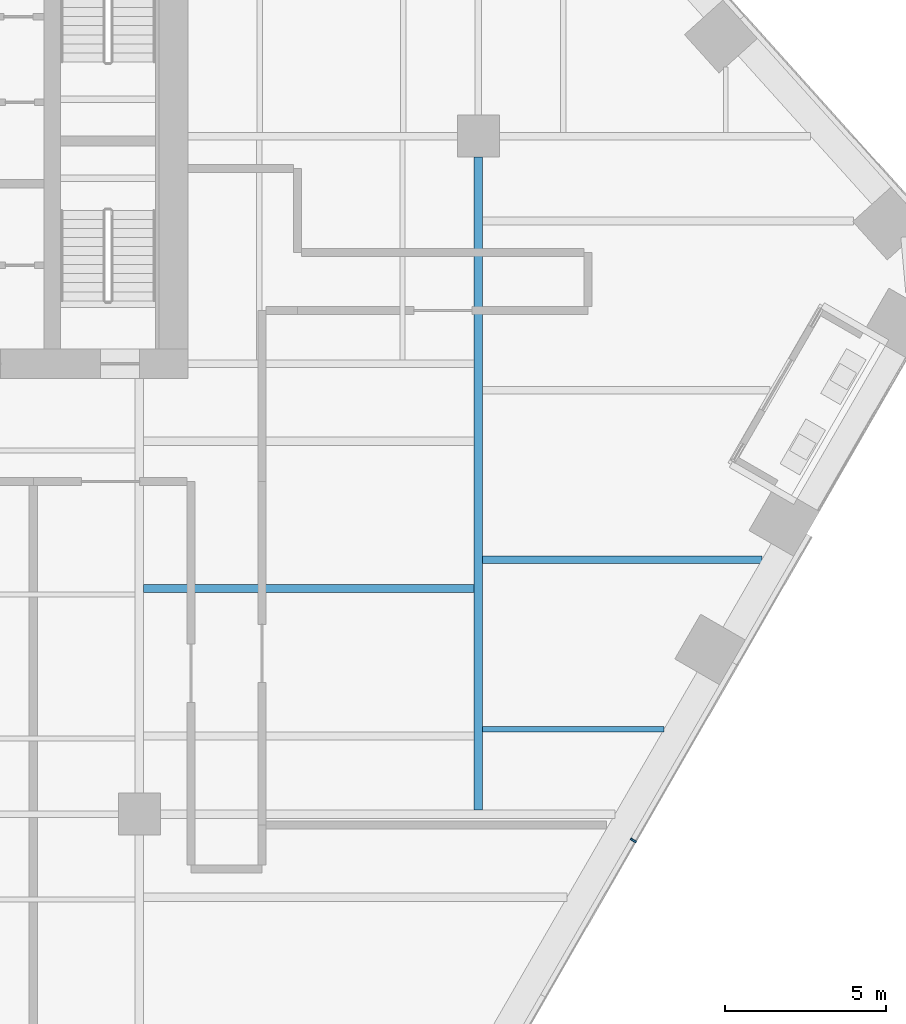
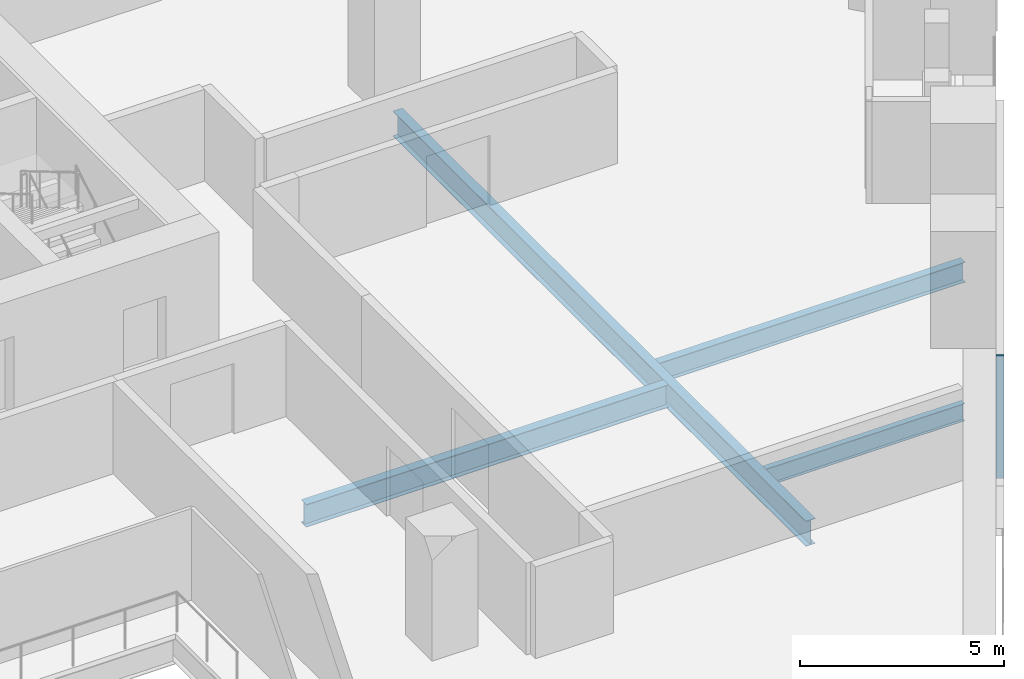
# One storey, part 9 of 28: 4 beams, 1 member, 1 element without a shape of its own.
"""IFC4 building model written with IfcOpenShell, lengths in metres."""

from ifc_helpers import new_model, si_unit, direction, frame, origin, origin_2d, place, context, subcontext, project, spatial, rectangle, i_section, extrude, material, layer, layer_set, material_profile, profile_set, type_object, element, aggregate, save


model = new_model("IFC4")

# Units and contexts
model_context = context("Model", 3, precision=1e-05, world=origin(), true_north=direction((0.0, 1.0)))
body_context = subcontext(model_context, "Body", "Model", "MODEL_VIEW")
ifc_project = project(units=[si_unit("LENGTHUNIT", "METRE"), si_unit("AREAUNIT", "SQUARE_METRE"), si_unit("VOLUMEUNIT", "CUBIC_METRE"), si_unit("PLANEANGLEUNIT", "RADIAN"), si_unit("MASSUNIT", "GRAM", prefix="KILO")], contexts=[model_context])

# Site, building, storey
site_placement = place(None, origin())
site = spatial("IfcSite", under=ifc_project, at=site_placement, CompositionType="ELEMENT")
building_placement = place(site_placement, origin())
building = spatial("IfcBuilding", under=site, at=building_placement, Name="Isthmus Gate Tower", CompositionType="ELEMENT")
storey_placement = place(building_placement, frame((0.0, 0.0, 84.300048828125)))
storey = spatial("IfcBuildingStorey", under=building, at=storey_placement, Name="L19", CompositionType="ELEMENT", Elevation=84.300048828125)

# Curtain wall, member
ifc_material_1 = material(Name="Aluminium, pale champagne anodised", Category="aluminium")
ifc_layer = layer(ifc_material_1, 0.199951171875)
ifc_layer_set = layer_set([ifc_layer], Name="CW-1 UNITISED CURTAIN WALL 200 DEEP")
curtain_wall_type = type_object("IfcCurtainWallType", Name="CW-1 UNITISED CURTAIN WALL 200 DEEP", PredefinedType="NOTDEFINED", material=ifc_layer_set)
curtain_wall_placement = place(storey_placement, origin())
curtain_wall = element("IfcCurtainWall", 1, at=curtain_wall_placement, inside=storey, type_object=curtain_wall_type, Name="CW-1 SE L19", PredefinedType="NOTDEFINED")
ifc_material_2 = material(Name="Aluminium, pale champagne anodised", Category="aluminium")
ifc_material_profile_1 = material_profile(ifc_material_2, rectangle(XDim=0.06005859375, YDim=0.199951171875, at=origin_2d()), Name="60x200")
ifc_profile_set_1 = profile_set([ifc_material_profile_1], Name="Aluminium, pale champagne anodised")
member_type = type_object("IfcMemberType", Name="CW-1 MULLION 60 X 200", PredefinedType="MULLION", material=ifc_profile_set_1)
member_placement = place(storey_placement, frame((28.802001953125, -14.3134765625, 0.0), z_axis=(0.0, 0.0, 1.0), x_axis=(0.5, 0.866025403784, 0.0)))
member = element("IfcMember", 2, at=member_placement, type_object=member_type, Name="CW-1 mullion", PredefinedType="MULLION", context=body_context, shape_type="SweptSolid", body=[
    extrude(rectangle(XDim=0.06005859375, YDim=0.199951171875, at=origin_2d()), origin(), (0.0, 0.0, 1.0), 3.64990234375),
])
aggregate(curtain_wall, [member])

# Beams
ifc_material_3 = material(Name="Structural steel ASTM A992 Gr 50", Category="steel")
ifc_material_profile_2 = material_profile(ifc_material_3, i_section(OverallWidth=0.1650390625, OverallDepth=0.52392578125, WebThickness=0.009521484375, FlangeThickness=0.010986328125, at=origin_2d()), Name="W21X44")
ifc_profile_set_2 = profile_set([ifc_material_profile_2], Name="Structural steel ASTM A992 Gr 50")
beam_type_1 = type_object("IfcBeamType", Name="STEEL FLOOR BEAM W21X44", PredefinedType="JOIST", material=ifc_profile_set_2)
beam_1_placement = place(storey_placement, frame((24.13330078125, -10.875, -0.412109375), z_axis=(1.0, 0.0, 0.0), x_axis=(0.0, 1.0, 0.0)))
element("IfcBeam", 3, at=beam_1_placement, inside=storey, type_object=beam_type_1, Name="str-beam-L19-39-00", PredefinedType="JOIST", context=body_context, shape_type="SweptSolid", body=[
    extrude(i_section(OverallWidth=0.1650390625, OverallDepth=0.52392578125, WebThickness=0.009521484375, FlangeThickness=0.010986328125, at=origin_2d()), origin(), (0.0, 0.0, 1.0), 5.61474609375),
])
ifc_material_4 = material(Name="Structural steel ASTM A992 Gr 50", Category="steel")
ifc_material_profile_3 = material_profile(ifc_material_4, i_section(OverallWidth=0.228515625, OverallDepth=0.603271484375, WebThickness=0.010986328125, FlangeThickness=0.014404296875, at=origin_2d()), Name="W24X68")
ifc_profile_set_3 = profile_set([ifc_material_profile_3], Name="Structural steel ASTM A992 Gr 50")
beam_type_2 = type_object("IfcBeamType", Name="STEEL FLOOR BEAM W24X68", PredefinedType="JOIST", material=ifc_profile_set_3)
beam_2_placement = place(storey_placement, frame((24.13330078125, -5.625, -0.45166015625), z_axis=(1.0, 0.0, 0.0), x_axis=(0.0, 1.0, 0.0)))
element("IfcBeam", 4, at=beam_2_placement, inside=storey, type_object=beam_type_2, Name="str-beam-L19-39-01", PredefinedType="JOIST", context=body_context, shape_type="SweptSolid", body=[
    extrude(i_section(OverallWidth=0.228515625, OverallDepth=0.603271484375, WebThickness=0.010986328125, FlangeThickness=0.014404296875, at=origin_2d()), origin(), (0.0, 0.0, 1.0), 8.645751953125),
])
ifc_material_5 = material(Name="Structural steel ASTM A992 Gr 50", Category="steel")
ifc_material_profile_4 = material_profile(ifc_material_5, i_section(OverallWidth=0.25390625, OverallDepth=0.679443359375, WebThickness=0.010986328125, FlangeThickness=0.015869140625, at=origin_2d()), Name="W27X84")
ifc_profile_set_4 = profile_set([ifc_material_profile_4], Name="Structural steel ASTM A992 Gr 50")
beam_type_3 = type_object("IfcBeamType", Name="STEEL FLOOR BEAM W27X84", PredefinedType="JOIST", material=ifc_profile_set_4)
beam_3_placement = place(storey_placement, frame((13.6318359375, -6.515380859375, -0.48974609375), z_axis=(1.0, 0.0, 0.0), x_axis=(0.0, 1.0, 0.0)))
element("IfcBeam", 5, at=beam_3_placement, inside=storey, type_object=beam_type_3, Name="str-beam-L19-31-01", PredefinedType="JOIST", context=body_context, shape_type="SweptSolid", body=[
    extrude(i_section(OverallWidth=0.25390625, OverallDepth=0.679443359375, WebThickness=0.010986328125, FlangeThickness=0.015869140625, at=origin_2d()), origin(), (0.0, 0.0, 1.0), 10.23486328125),
])
ifc_material_6 = material(Name="Structural steel ASTM A992 Gr 50", Category="steel")
ifc_material_profile_5 = material_profile(ifc_material_6, i_section(OverallWidth=0.2666015625, OverallDepth=0.7587890625, WebThickness=0.014404296875, FlangeThickness=0.01904296875, at=origin_2d()), Name="W30X108")
ifc_profile_set_5 = profile_set([ifc_material_profile_5], Name="Structural steel ASTM A992 Gr 50")
beam_type_4 = type_object("IfcBeamType", Name="STEEL GIRDER W30X108", PredefinedType="BEAM", material=ifc_profile_set_5)
beam_4_placement = place(storey_placement, frame((24.0, -13.36669921875, -0.529541015625), z_axis=(0.0, 1.0, 0.0), x_axis=(-1.0, 0.0, 0.0)))
element("IfcBeam", 6, at=beam_4_placement, inside=storey, type_object=beam_type_4, Name="str-girder-L19-36", PredefinedType="BEAM", context=body_context, shape_type="SweptSolid", body=[
    extrude(i_section(OverallWidth=0.2666015625, OverallDepth=0.7587890625, WebThickness=0.014404296875, FlangeThickness=0.01904296875, at=origin_2d()), origin(), (0.0, 0.0, 1.0), 20.216796875),
])

save(model, "model.ifc")
